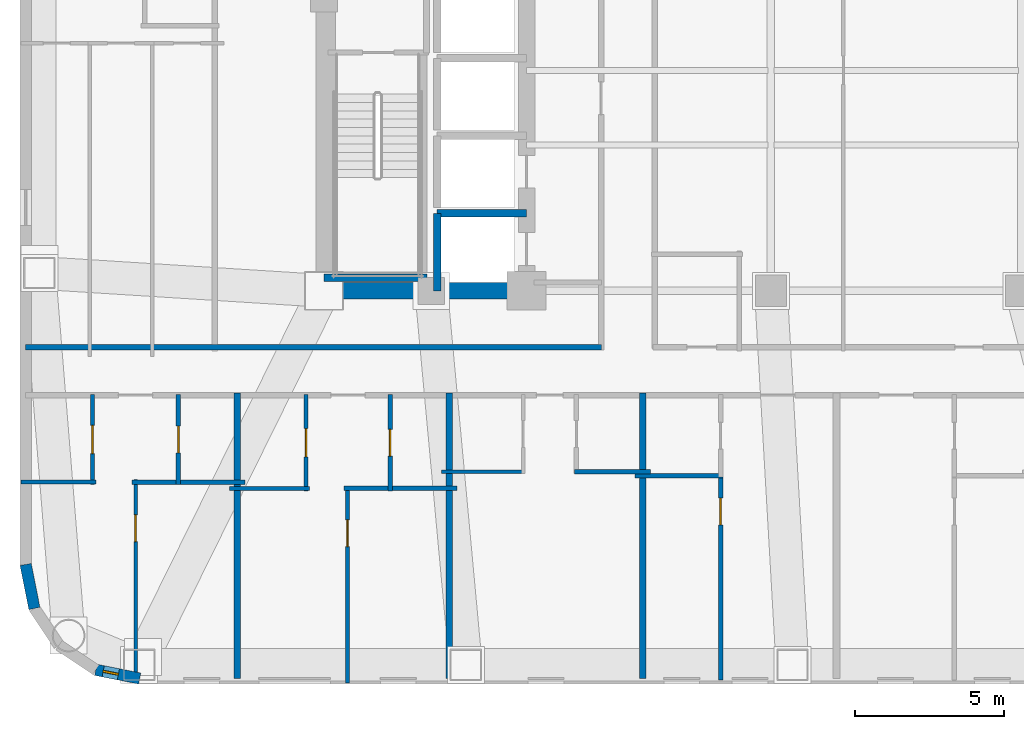
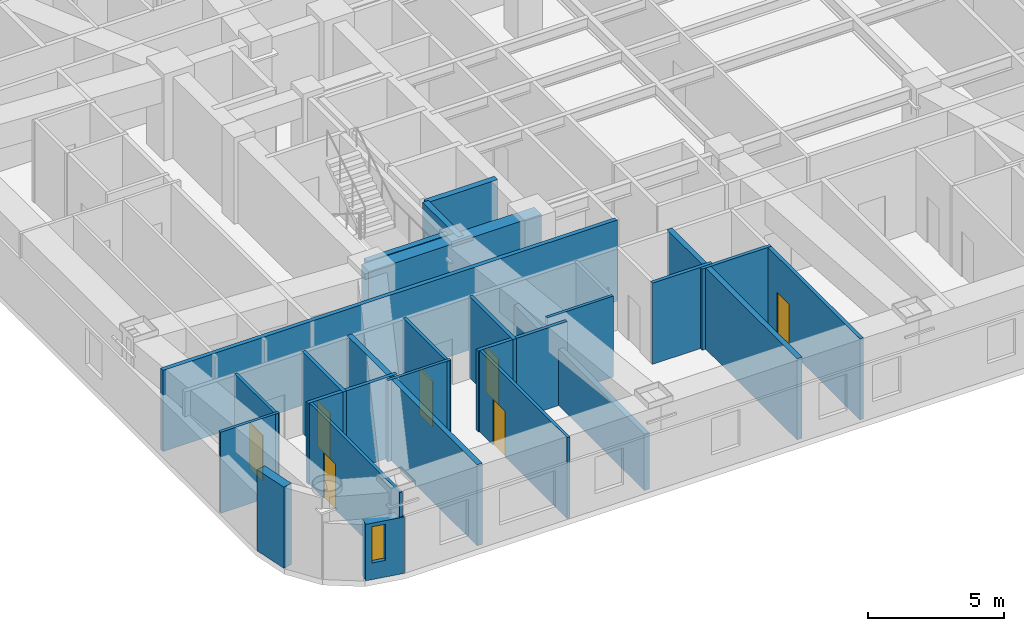
# One storey, part 7 of 16: 24 walls, 7 doors, 1 window, 8 openings.
"""IFC4 building model written with IfcOpenShell, lengths in metres."""

from ifc_helpers import new_model, si_unit, direction, frame, frame_2d, origin, place, context, subcontext, project, spatial, rectangle, extrude, material, layer, layer_set, type_object, element, fill, save


model = new_model("IFC4")

# Units and contexts
model_context = context("Model", 3, precision=1e-05, world=origin(), true_north=direction((0.0, 1.0)))
body_context = subcontext(model_context, "Body", "Model", "MODEL_VIEW")
ifc_project = project(units=[si_unit("LENGTHUNIT", "METRE"), si_unit("AREAUNIT", "SQUARE_METRE"), si_unit("VOLUMEUNIT", "CUBIC_METRE"), si_unit("PLANEANGLEUNIT", "RADIAN"), si_unit("MASSUNIT", "GRAM", prefix="KILO")], contexts=[model_context])

# Site, building, storey
site_placement = place(None, origin())
site = spatial("IfcSite", under=ifc_project, at=site_placement, CompositionType="ELEMENT")
building_placement = place(site_placement, origin())
building = spatial("IfcBuilding", under=site, at=building_placement, Name="Voryun Gate Residences", CompositionType="ELEMENT")
storey_placement = place(building_placement, frame((0.0, 0.0, 89.699951171875)))
storey = spatial("IfcBuildingStorey", under=building, at=storey_placement, Name="L21", CompositionType="ELEMENT", Elevation=89.699951171875)

# Walls
ifc_material_1 = material(Name="Concrete C60/75", Category="concrete")
ifc_layer_1 = layer(ifc_material_1, 0.550048828125, Name="CW_CORE_550")
ifc_layer_set_1 = layer_set([ifc_layer_1], Name="Concrete C60/75")
wall_type_1 = type_object("IfcWallType", Name="CW_CORE_550", PredefinedType="SHEAR", material=ifc_layer_set_1)
wall_1_placement = place(storey_placement, frame((-19.47509765625, -7.39990234375, 0.0), z_axis=(0.0, 0.0, 1.0), x_axis=(1.0, 0.0, 0.0)))
element("IfcWall", 1, at=wall_1_placement, inside=storey, type_object=wall_type_1, Name="L21 Core shear wall CW-L21-WS", PredefinedType="SHEAR", context=body_context, shape_type="SweptSolid", body=[
    extrude(rectangle(XDim=7.35009765625, YDim=0.550048828125, at=frame_2d((3.675048828125, 0.0))), origin(), (0.0, 0.0, 1.0), 3.650146484375),
])
ifc_material_2 = material(Name="Gypsum acoustic fireboard")
ifc_layer_2 = layer(ifc_material_2, 0.179931640625, Name="W_CORR_RATED_180")
ifc_layer_set_2 = layer_set([ifc_layer_2], Name="Gypsum acoustic fireboard")
wall_type_2 = type_object("IfcWallType", Name="W_CORR_RATED_180", PredefinedType="PARTITIONING", material=ifc_layer_set_2)
wall_2_placement = place(storey_placement, frame((-29.2099609375, -9.2900390625, 0.0), z_axis=(0.0, 0.0, 1.0), x_axis=(1.0, 0.0, 0.0)))
element("IfcWall", 2, at=wall_2_placement, inside=storey, type_object=wall_type_2, Name="Partition wall WP-L21-CWING-WS", PredefinedType="PARTITIONING", context=body_context, shape_type="SweptSolid", body=[
    extrude(rectangle(XDim=19.330078125, YDim=0.179931640625, at=frame_2d((9.6650390625, 0.0))), origin(), (0.0, 0.0, 1.0), 3.650146484375),
])

# Wall, opening, window
ifc_material_3 = material(Name="Granite masonry", Category="masonry")
ifc_layer_3 = layer(ifc_material_3, 0.3798828125, Name="W_EXT_GRANITE_380")
ifc_layer_set_3 = layer_set([ifc_layer_3], Name="Granite masonry")
wall_type_3 = type_object("IfcWallType", Name="W_EXT_GRANITE_380", PredefinedType="ELEMENTEDWALL", material=ifc_layer_set_3)
wall_3_placement = place(storey_placement, frame((-25.38134765625, -20.409912109375, 0.0), z_axis=(0.0, 0.0, 1.0), x_axis=(-0.980786132421, 0.195086038585, 0.0)))
wall_3 = element("IfcWall", 3, at=wall_3_placement, inside=storey, type_object=wall_type_3, Name="Exterior wall WEXT-L21-02", PredefinedType="ELEMENTEDWALL", context=body_context, shape_type="SweptSolid", body=[
    extrude(rectangle(XDim=1.504150390625, YDim=0.3798828125, at=frame_2d((0.751953125, 0.0))), origin(), (0.0, 0.0, 1.0), 2.5400390625),
])
opening_1_placement = place(wall_3_placement, frame((0.732177734375, 0.0, 0.75)))
opening_1 = element("IfcOpeningElement", 4, at=opening_1_placement, cuts=wall_3, Name="Opening WN10", PredefinedType="OPENING", context=body_context, shape_type="SweptSolid", body=[
    extrude(rectangle(XDim=0.52001953125, YDim=1.6298828125, at=frame_2d((0.260009765625, 0.81494140625))), frame((0.0, 0.199951171875, 0.0), z_axis=(0.0, -1.0, 0.0), x_axis=(1.0, 0.0, 0.0)), (0.0, 0.0, 1.0), 0.39990234375),
])
ifc_material_4 = material(Name="Laminated low-E glass", Category="glass")
window_type = type_object("IfcWindowType", Name="WN_PAGODA_LANCET_520", PartitioningType="SINGLE_PANEL", PredefinedType="WINDOW", material=ifc_material_4)
window_placement = place(opening_1_placement, origin())
window = element("IfcWindow", 5, at=window_placement, inside=storey, type_object=window_type, Name="Window WN-L21-DWFIX-15", OverallHeight=1.6298828125, OverallWidth=0.52001953125, PartitioningType="SINGLE_PANEL", PredefinedType="WINDOW", context=body_context, shape_type="SweptSolid", body=[
    extrude(rectangle(XDim=0.52001953125, YDim=1.6298828125, at=frame_2d((0.260009765625, 0.81494140625))), frame((0.0, 0.030029296875, 0.0), z_axis=(0.0, -1.0, 0.0), x_axis=(1.0, 0.0, 0.0)), (0.0, 0.0, 1.0), 0.06005859375),
])
fill(opening_1, window)

# Walls
wall_4_placement = place(storey_placement, frame((-28.91650390625, -18.056640625, 0.0), z_axis=(0.0, 0.0, 1.0), x_axis=(-0.195086038585, 0.980786132421, 0.0)))
element("IfcWall", 6, at=wall_4_placement, inside=storey, type_object=wall_type_3, Name="Exterior wall WEXT-L21-05", PredefinedType="ELEMENTEDWALL", context=body_context, shape_type="SweptSolid", body=[
    extrude(rectangle(XDim=1.504150390625, YDim=0.3798828125, at=frame_2d((0.751953125, 0.0))), origin(), (0.0, 0.0, 1.0), 3.650146484375),
])
ifc_material_5 = material(Name="Concrete C40/50", Category="concrete")
ifc_layer_4 = layer(ifc_material_5, 0.219970703125, Name="W_PARTY_ACOUSTIC_220")
ifc_layer_set_4 = layer_set([ifc_layer_4], Name="Concrete C40/50")
wall_type_4 = type_object("IfcWallType", Name="W_PARTY_ACOUSTIC_220", PredefinedType="PARTITIONING", material=ifc_layer_set_4)
wall_5_placement = place(storey_placement, frame((-22.10888671875, -20.409912109375, 0.0), z_axis=(0.0, 0.0, 1.0), x_axis=(0.0, 1.0, 0.0)))
element("IfcWall", 7, at=wall_5_placement, inside=storey, type_object=wall_type_4, Name="Partition wall WP-L21-SPTY-1", PredefinedType="PARTITIONING", context=body_context, shape_type="SweptSolid", body=[
    extrude(rectangle(XDim=9.58984375, YDim=0.219970703125, at=frame_2d((4.794921875, 0.0))), origin(), (0.0, 0.0, 1.0), 3.650146484375),
])
wall_6_placement = place(storey_placement, frame((-15.0, -20.409912109375, 0.0), z_axis=(0.0, 0.0, 1.0), x_axis=(0.0, 1.0, 0.0)))
element("IfcWall", 8, at=wall_6_placement, inside=storey, type_object=wall_type_4, Name="Partition wall WP-L21-SPTY-2", PredefinedType="PARTITIONING", context=body_context, shape_type="SweptSolid", body=[
    extrude(rectangle(XDim=9.58984375, YDim=0.219970703125, at=frame_2d((4.794921875, 0.0))), origin(), (0.0, 0.0, 1.0), 2.5400390625),
])
wall_7_placement = place(storey_placement, frame((-8.5, -20.409912109375, 0.0), z_axis=(0.0, 0.0, 1.0), x_axis=(0.0, 1.0, 0.0)))
element("IfcWall", 9, at=wall_7_placement, inside=storey, type_object=wall_type_4, Name="Partition wall WP-L21-SPTY-3", PredefinedType="PARTITIONING", context=body_context, shape_type="SweptSolid", body=[
    extrude(rectangle(XDim=9.58984375, YDim=0.219970703125, at=frame_2d((4.794921875, 0.0))), origin(), (0.0, 0.0, 1.0), 3.650146484375),
])
ifc_material_6 = material(Name="Concrete C50/60", Category="concrete")
ifc_layer_5 = layer(ifc_material_6, 0.25, Name="W_SHAFT_RC250")
ifc_layer_set_5 = layer_set([ifc_layer_5], Name="Concrete C50/60")
wall_type_5 = type_object("IfcWallType", Name="W_SHAFT_RC250", PredefinedType="SOLIDWALL", material=ifc_layer_set_5)
wall_8_placement = place(storey_placement, frame((-19.199951171875, -6.965087890625, 0.0), z_axis=(0.0, 0.0, 1.0), x_axis=(1.0, 0.0, 0.0)))
element("IfcWall", 10, at=wall_8_placement, inside=storey, type_object=wall_type_5, Name="L21 Stair shaft structural wall W-STS", PredefinedType="SOLIDWALL", context=body_context, shape_type="SweptSolid", body=[
    extrude(rectangle(XDim=3.4599609375, YDim=0.25, at=frame_2d((1.72998046875, 0.0))), origin(), (0.0, 0.0, 1.0), 3.650146484375),
])
wall_9_placement = place(storey_placement, frame((-12.39990234375, -4.800048828125, 0.0), z_axis=(0.0, 0.0, 1.0), x_axis=(-1.0, 0.0, 0.0)))
element("IfcWall", 11, at=wall_9_placement, inside=storey, type_object=wall_type_5, Name="Lift shaft wall WSH-L21-EL-P1-N", PredefinedType="SOLIDWALL", context=body_context, shape_type="SweptSolid", body=[
    extrude(rectangle(XDim=3.0, YDim=0.25, at=frame_2d((1.5, 0.0))), origin(), (0.0, 0.0, 1.0), 3.650146484375),
])
wall_10_placement = place(storey_placement, frame((-15.39990234375, -4.800048828125, 0.0), z_axis=(0.0, 0.0, 1.0), x_axis=(0.0, -1.0, 0.0)))
element("IfcWall", 12, at=wall_10_placement, inside=storey, type_object=wall_type_5, Name="Lift shaft wall WSH-L21-EL-P1-W", PredefinedType="SOLIDWALL", context=body_context, shape_type="SweptSolid", body=[
    extrude(rectangle(XDim=2.599853515625, YDim=0.25, at=frame_2d((1.2998046875, 0.0))), origin(), (0.0, 0.0, 1.0), 3.650146484375),
])

# Wall, opening, door
ifc_material_7 = material(Name="Gypsum acoustic partition")
ifc_layer_6 = layer(ifc_material_7, 0.125, Name="W_UNIT_PART_125")
ifc_layer_set_6 = layer_set([ifc_layer_6], Name="Gypsum acoustic partition")
wall_type_6 = type_object("IfcWallType", Name="W_UNIT_PART_125", PredefinedType="PARTITIONING", material=ifc_layer_set_6)
wall_11_placement = place(storey_placement, frame((-25.51904296875, -20.535400390625, 0.0), z_axis=(0.0, 0.0, 1.0), x_axis=(0.0, 1.0, 0.0)))
wall_11 = element("IfcWall", 13, at=wall_11_placement, inside=storey, type_object=wall_type_6, Name="Partition wall WP-L21-S1-OVR", PredefinedType="PARTITIONING", context=body_context, shape_type="SweptSolid", body=[
    extrude(rectangle(XDim=6.79833984375, YDim=0.125, at=frame_2d((3.399169921875, 0.0))), origin(), (0.0, 0.0, 1.0), 3.650146484375),
])
opening_2_placement = place(wall_11_placement, frame((4.716796875, 0.0, 0.0)))
opening_2 = element("IfcOpeningElement", 14, at=opening_2_placement, cuts=wall_11, Name="Opening D-INT-2", PredefinedType="OPENING", context=body_context, shape_type="SweptSolid", body=[
    extrude(rectangle(XDim=0.89990234375, YDim=2.050048828125, at=frame_2d((0.449951171875, 1.02490234375))), frame((0.0, 0.072509765625, 0.0), z_axis=(0.0, -1.0, 0.0), x_axis=(1.0, 0.0, 0.0)), (0.0, 0.0, 1.0), 0.14501953125),
])
ifc_material_8 = material(Name="Architectural oak veneer")
door_type_1 = type_object("IfcDoorType", Name="DR_INT_BATH_900", OperationType="NOTDEFINED", PredefinedType="DOOR", material=ifc_material_8)
door_1_placement = place(opening_2_placement, origin())
door_1 = element("IfcDoor", 15, at=door_1_placement, inside=storey, type_object=door_type_1, Name="Door DR-L21-S1-DMB", OperationType="SINGLE_SWING_RIGHT", OverallHeight=2.050048828125, OverallWidth=0.89990234375, PredefinedType="DOOR", context=body_context, shape_type="SweptSolid", body=[
    extrude(rectangle(XDim=0.89990234375, YDim=2.050048828125, at=frame_2d((0.449951171875, 1.02490234375))), frame((0.0, 0.02490234375, 0.0), z_axis=(0.0, -1.0, 0.0), x_axis=(1.0, 0.0, 0.0)), (0.0, 0.0, 1.0), 0.050048828125),
])
fill(opening_2, door_1)

wall_12_placement = place(storey_placement, frame((-26.968017578125, -13.89697265625, 0.0), z_axis=(0.0, 0.0, 1.0), x_axis=(0.0, 1.0, 0.0)))
wall_12 = element("IfcWall", 16, at=wall_12_placement, inside=storey, type_object=wall_type_6, Name="Partition wall WP-L21-S1-IVK", PredefinedType="PARTITIONING", context=body_context, shape_type="SweptSolid", body=[
    extrude(rectangle(XDim=3.01708984375, YDim=0.125, at=frame_2d((1.508544921875, 0.0))), origin(), (0.0, 0.0, 1.0), 3.650146484375),
])
opening_3_placement = place(wall_12_placement, frame((1.033447265625, 0.0, 0.0)))
opening_3 = element("IfcOpeningElement", 17, at=opening_3_placement, cuts=wall_12, Name="Opening D-INT-1", PredefinedType="OPENING", context=body_context, shape_type="SweptSolid", body=[
    extrude(rectangle(XDim=0.949951171875, YDim=2.050048828125, at=frame_2d((0.47509765625, 1.02490234375))), frame((0.0, 0.072509765625, 0.0), z_axis=(0.0, -1.0, 0.0), x_axis=(1.0, 0.0, 0.0)), (0.0, 0.0, 1.0), 0.14501953125),
])
ifc_material_9 = material(Name="Architectural oak veneer")
door_type_2 = type_object("IfcDoorType", Name="DR_INT_ROOM_950", OperationType="NOTDEFINED", PredefinedType="DOOR", material=ifc_material_9)
door_2_placement = place(opening_3_placement, origin())
door_2 = element("IfcDoor", 18, at=door_2_placement, inside=storey, type_object=door_type_2, Name="Door DR-L21-S1-DK", OperationType="SINGLE_SWING_LEFT", OverallHeight=2.050048828125, OverallWidth=0.949951171875, PredefinedType="DOOR", context=body_context, shape_type="SweptSolid", body=[
    extrude(rectangle(XDim=0.949951171875, YDim=2.050048828125, at=frame_2d((0.47509765625, 1.02490234375))), frame((0.0, 0.02490234375, 0.0), z_axis=(0.0, -1.0, 0.0), x_axis=(1.0, 0.0, 0.0)), (0.0, 0.0, 1.0), 0.050048828125),
])
fill(opening_3, door_2)

# Wall
wall_13_placement = place(storey_placement, frame((-29.360107421875, -13.81689453125, 0.0), z_axis=(0.0, 0.0, 1.0), x_axis=(1.0, 0.0, 0.0)))
element("IfcWall", 19, at=wall_13_placement, inside=storey, type_object=wall_type_6, Name="Partition wall WP-L21-S1-HZK", PredefinedType="PARTITIONING", context=body_context, shape_type="SweptSolid", body=[
    extrude(rectangle(XDim=2.51220703125, YDim=0.125, at=frame_2d((1.256103515625, 0.0))), origin(), (0.0, 0.0, 1.0), 3.650146484375),
])

# Wall, opening, door
wall_14_placement = place(storey_placement, frame((-18.409912109375, -20.56005859375, 0.0), z_axis=(0.0, 0.0, 1.0), x_axis=(0.0, 1.0, 0.0)))
wall_14 = element("IfcWall", 20, at=wall_14_placement, inside=storey, type_object=wall_type_6, Name="Partition wall WP-L21-S2-OVR", PredefinedType="PARTITIONING", context=body_context, shape_type="SweptSolid", body=[
    extrude(rectangle(XDim=6.610107421875, YDim=0.125, at=frame_2d((3.30517578125, 0.0))), origin(), (0.0, 0.0, 1.0), 3.650146484375),
])
opening_4_placement = place(wall_14_placement, frame((4.573486328125, 0.0, 0.0)))
opening_4 = element("IfcOpeningElement", 21, at=opening_4_placement, cuts=wall_14, Name="Opening D-INT-2", PredefinedType="OPENING", context=body_context, shape_type="SweptSolid", body=[
    extrude(rectangle(XDim=0.89990234375, YDim=2.050048828125, at=frame_2d((0.449951171875, 1.02490234375))), frame((0.0, 0.072509765625, 0.0), z_axis=(0.0, -1.0, 0.0), x_axis=(1.0, 0.0, 0.0)), (0.0, 0.0, 1.0), 0.14501953125),
])
door_3_placement = place(opening_4_placement, origin())
door_3 = element("IfcDoor", 22, at=door_3_placement, inside=storey, type_object=door_type_1, Name="Door DR-L21-S2-DMB", OperationType="SINGLE_SWING_RIGHT", OverallHeight=2.050048828125, OverallWidth=0.89990234375, PredefinedType="DOOR", context=body_context, shape_type="SweptSolid", body=[
    extrude(rectangle(XDim=0.89990234375, YDim=2.050048828125, at=frame_2d((0.449951171875, 1.02490234375))), frame((0.0, 0.02490234375, 0.0), z_axis=(0.0, -1.0, 0.0), x_axis=(1.0, 0.0, 0.0)), (0.0, 0.0, 1.0), 0.050048828125),
])
fill(opening_4, door_3)

wall_15_placement = place(storey_placement, frame((-19.799072265625, -14.110107421875, 0.0), z_axis=(0.0, 0.0, 1.0), x_axis=(0.0, 1.0, 0.0)))
wall_15 = element("IfcWall", 23, at=wall_15_placement, inside=storey, type_object=wall_type_6, Name="Partition wall WP-L21-S2-IVK", PredefinedType="PARTITIONING", context=body_context, shape_type="SweptSolid", body=[
    extrude(rectangle(XDim=3.230224609375, YDim=0.125, at=frame_2d((1.615234375, 0.0))), origin(), (0.0, 0.0, 1.0), 3.650146484375),
])
opening_5_placement = place(wall_15_placement, frame((1.139892578125, 0.0, 0.0)))
opening_5 = element("IfcOpeningElement", 24, at=opening_5_placement, cuts=wall_15, Name="Opening D-INT-1", PredefinedType="OPENING", context=body_context, shape_type="SweptSolid", body=[
    extrude(rectangle(XDim=0.949951171875, YDim=2.050048828125, at=frame_2d((0.47509765625, 1.02490234375))), frame((0.0, 0.072509765625, 0.0), z_axis=(0.0, -1.0, 0.0), x_axis=(1.0, 0.0, 0.0)), (0.0, 0.0, 1.0), 0.14501953125),
])
door_4_placement = place(opening_5_placement, origin())
door_4 = element("IfcDoor", 25, at=door_4_placement, inside=storey, type_object=door_type_2, Name="Door DR-L21-S2-DK", OperationType="SINGLE_SWING_LEFT", OverallHeight=2.050048828125, OverallWidth=0.949951171875, PredefinedType="DOOR", context=body_context, shape_type="SweptSolid", body=[
    extrude(rectangle(XDim=0.949951171875, YDim=2.050048828125, at=frame_2d((0.47509765625, 1.02490234375))), frame((0.0, 0.02490234375, 0.0), z_axis=(0.0, -1.0, 0.0), x_axis=(1.0, 0.0, 0.0)), (0.0, 0.0, 1.0), 0.050048828125),
])
fill(opening_5, door_4)

# Walls
wall_16_placement = place(storey_placement, frame((-22.368896484375, -14.030029296875, 0.0), z_axis=(0.0, 0.0, 1.0), x_axis=(1.0, 0.0, 0.0)))
element("IfcWall", 26, at=wall_16_placement, inside=storey, type_object=wall_type_6, Name="Partition wall WP-L21-S2-HZK", PredefinedType="PARTITIONING", context=body_context, shape_type="SweptSolid", body=[
    extrude(rectangle(XDim=2.68994140625, YDim=0.125, at=frame_2d((1.344970703125, 0.0))), origin(), (0.0, 0.0, 1.0), 3.650146484375),
])
wall_17_placement = place(storey_placement, frame((-15.260009765625, -13.469970703125, 0.0), z_axis=(0.0, 0.0, 1.0), x_axis=(1.0, 0.0, 0.0)))
element("IfcWall", 27, at=wall_17_placement, inside=storey, type_object=wall_type_6, Name="Partition wall WP-L21-S3-CHK", PredefinedType="PARTITIONING", context=body_context, shape_type="SweptSolid", body=[
    extrude(rectangle(XDim=2.803955078125, YDim=0.125, at=frame_2d((1.40185546875, 0.0))), origin(), (0.0, 0.0, 1.0), 3.650146484375),
])
ifc_material_10 = material(Name="Gypsum moisture-resistant partition")
ifc_layer_7 = layer(ifc_material_10, 0.14990234375, Name="W_WET_PLUMB_150")
ifc_layer_set_7 = layer_set([ifc_layer_7], Name="Gypsum moisture-resistant partition")
wall_type_7 = type_object("IfcWallType", Name="W_WET_PLUMB_150", PredefinedType="PLUMBINGWALL", material=ifc_layer_set_7)
wall_18_placement = place(storey_placement, frame((-25.638916015625, -13.81689453125, 0.0), z_axis=(0.0, 0.0, 1.0), x_axis=(1.0, 0.0, 0.0)))
element("IfcWall", 28, at=wall_18_placement, inside=storey, type_object=wall_type_7, Name="Partition wall WP-L21-S1-HZB", PredefinedType="PLUMBINGWALL", context=body_context, shape_type="SweptSolid", body=[
    extrude(rectangle(XDim=3.789794921875, YDim=0.14990234375, at=frame_2d((1.89501953125, 0.0))), origin(), (0.0, 0.0, 1.0), 3.650146484375),
])

# Wall, opening, door
wall_19_placement = place(storey_placement, frame((-24.089111328125, -13.89697265625, 0.0), z_axis=(0.0, 0.0, 1.0), x_axis=(0.0, 1.0, 0.0)))
wall_19 = element("IfcWall", 29, at=wall_19_placement, inside=storey, type_object=wall_type_7, Name="Partition wall WP-L21-S1-IVB", PredefinedType="PLUMBINGWALL", context=body_context, shape_type="SweptSolid", body=[
    extrude(rectangle(XDim=3.01708984375, YDim=0.14990234375, at=frame_2d((1.508544921875, 0.0))), origin(), (0.0, 0.0, 1.0), 3.650146484375),
])
opening_6_placement = place(wall_19_placement, frame((1.05859375, 0.0, 0.0)))
opening_6 = element("IfcOpeningElement", 30, at=opening_6_placement, cuts=wall_19, Name="Opening D-INT-2", PredefinedType="OPENING", context=body_context, shape_type="SweptSolid", body=[
    extrude(rectangle(XDim=0.89990234375, YDim=2.050048828125, at=frame_2d((0.449951171875, 1.02490234375))), frame((0.0, 0.0849609375, 0.0), z_axis=(0.0, -1.0, 0.0), x_axis=(1.0, 0.0, 0.0)), (0.0, 0.0, 1.0), 0.169921875),
])
door_5_placement = place(opening_6_placement, origin())
door_5 = element("IfcDoor", 31, at=door_5_placement, inside=storey, type_object=door_type_1, Name="Door DR-L21-S1-DB", OperationType="SINGLE_SWING_RIGHT", OverallHeight=2.050048828125, OverallWidth=0.89990234375, PredefinedType="DOOR", context=body_context, shape_type="SweptSolid", body=[
    extrude(rectangle(XDim=0.89990234375, YDim=2.050048828125, at=frame_2d((0.449951171875, 1.02490234375))), frame((0.0, 0.02490234375, 0.0), z_axis=(0.0, -1.0, 0.0), x_axis=(1.0, 0.0, 0.0)), (0.0, 0.0, 1.0), 0.050048828125),
])
fill(opening_6, door_5)

# Wall
wall_20_placement = place(storey_placement, frame((-18.530029296875, -14.030029296875, 0.0), z_axis=(0.0, 0.0, 1.0), x_axis=(1.0, 0.0, 0.0)))
element("IfcWall", 32, at=wall_20_placement, inside=storey, type_object=wall_type_7, Name="Partition wall WP-L21-S2-HZB", PredefinedType="PLUMBINGWALL", context=body_context, shape_type="SweptSolid", body=[
    extrude(rectangle(XDim=3.7900390625, YDim=0.14990234375, at=frame_2d((1.89501953125, 0.0))), origin(), (0.0, 0.0, 1.0), 3.650146484375),
])

# Wall, opening, door
wall_21_placement = place(storey_placement, frame((-16.97998046875, -14.110107421875, 0.0), z_axis=(0.0, 0.0, 1.0), x_axis=(0.0, 1.0, 0.0)))
wall_21 = element("IfcWall", 33, at=wall_21_placement, inside=storey, type_object=wall_type_7, Name="Partition wall WP-L21-S2-IVB", PredefinedType="PLUMBINGWALL", context=body_context, shape_type="SweptSolid", body=[
    extrude(rectangle(XDim=3.230224609375, YDim=0.14990234375, at=frame_2d((1.615234375, 0.0))), origin(), (0.0, 0.0, 1.0), 3.650146484375),
])
opening_7_placement = place(wall_21_placement, frame((1.1650390625, 0.0, 0.0)))
opening_7 = element("IfcOpeningElement", 34, at=opening_7_placement, cuts=wall_21, Name="Opening D-INT-2", PredefinedType="OPENING", context=body_context, shape_type="SweptSolid", body=[
    extrude(rectangle(XDim=0.89990234375, YDim=2.050048828125, at=frame_2d((0.449951171875, 1.02490234375))), frame((0.0, 0.0849609375, 0.0), z_axis=(0.0, -1.0, 0.0), x_axis=(1.0, 0.0, 0.0)), (0.0, 0.0, 1.0), 0.169921875),
])
door_6_placement = place(opening_7_placement, origin())
door_6 = element("IfcDoor", 35, at=door_6_placement, inside=storey, type_object=door_type_1, Name="Door DR-L21-S2-DB", OperationType="SINGLE_SWING_RIGHT", OverallHeight=2.050048828125, OverallWidth=0.89990234375, PredefinedType="DOOR", context=body_context, shape_type="SweptSolid", body=[
    extrude(rectangle(XDim=0.89990234375, YDim=2.050048828125, at=frame_2d((0.449951171875, 1.02490234375))), frame((0.0, 0.02490234375, 0.0), z_axis=(0.0, -1.0, 0.0), x_axis=(1.0, 0.0, 0.0)), (0.0, 0.0, 1.0), 0.050048828125),
])
fill(opening_7, door_6)

# Walls
wall_22_placement = place(storey_placement, frame((-10.7890625, -13.469970703125, 0.0), z_axis=(0.0, 0.0, 1.0), x_axis=(1.0, 0.0, 0.0)))
element("IfcWall", 36, at=wall_22_placement, inside=storey, type_object=wall_type_7, Name="Partition wall WP-L21-S3-CHB", PredefinedType="PLUMBINGWALL", context=body_context, shape_type="SweptSolid", body=[
    extrude(rectangle(XDim=2.549072265625, YDim=0.14990234375, at=frame_2d((1.2744140625, 0.0))), origin(), (0.0, 0.0, 1.0), 3.650146484375),
])
wall_23_placement = place(storey_placement, frame((-8.760009765625, -13.60009765625, 0.0), z_axis=(0.0, 0.0, 1.0), x_axis=(1.0, 0.0, 0.0)))
element("IfcWall", 37, at=wall_23_placement, inside=storey, type_object=wall_type_7, Name="Partition wall WP-L21-S4-SKB", PredefinedType="PLUMBINGWALL", context=body_context, shape_type="SweptSolid", body=[
    extrude(rectangle(XDim=2.949951171875, YDim=0.14990234375, at=frame_2d((1.47509765625, 0.0))), origin(), (0.0, 0.0, 1.0), 3.650146484375),
])

# Wall, opening, door
wall_24_placement = place(storey_placement, frame((-5.889892578125, -20.45751953125, 0.0), z_axis=(0.0, 0.0, 1.0), x_axis=(0.0, 1.0, 0.0)))
wall_24 = element("IfcWall", 38, at=wall_24_placement, inside=storey, type_object=wall_type_7, Name="Partition wall WP-L21-S4-SVT1", PredefinedType="PLUMBINGWALL", context=body_context, shape_type="SweptSolid", body=[
    extrude(rectangle(XDim=6.8974609375, YDim=0.14990234375, at=frame_2d((3.44873046875, 0.0))), origin(), (0.0, 0.0, 1.0), 3.650146484375),
])
opening_8_placement = place(wall_24_placement, frame((5.2060546875, 0.0, 0.0)))
opening_8 = element("IfcOpeningElement", 39, at=opening_8_placement, cuts=wall_24, Name="Opening D-INT-2", PredefinedType="OPENING", context=body_context, shape_type="SweptSolid", body=[
    extrude(rectangle(XDim=0.89990234375, YDim=2.050048828125, at=frame_2d((0.449951171875, 1.02490234375))), frame((0.0, 0.0849609375, 0.0), z_axis=(0.0, -1.0, 0.0), x_axis=(1.0, 0.0, 0.0)), (0.0, 0.0, 1.0), 0.169921875),
])
door_7_placement = place(opening_8_placement, origin())
door_7 = element("IfcDoor", 40, at=door_7_placement, inside=storey, type_object=door_type_1, Name="Door DR-L21-S4-DK", OperationType="SINGLE_SWING_LEFT", OverallHeight=2.050048828125, OverallWidth=0.89990234375, PredefinedType="DOOR", context=body_context, shape_type="SweptSolid", body=[
    extrude(rectangle(XDim=0.89990234375, YDim=2.050048828125, at=frame_2d((0.449951171875, 1.02490234375))), frame((0.0, 0.02490234375, 0.0), z_axis=(0.0, -1.0, 0.0), x_axis=(1.0, 0.0, 0.0)), (0.0, 0.0, 1.0), 0.050048828125),
])
fill(opening_8, door_7)

save(model, "model.ifc")
